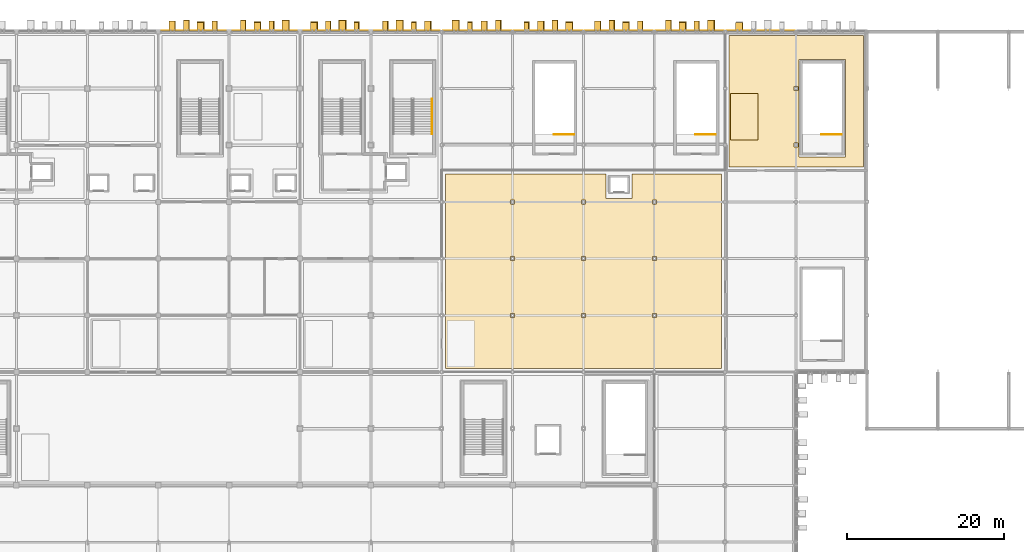
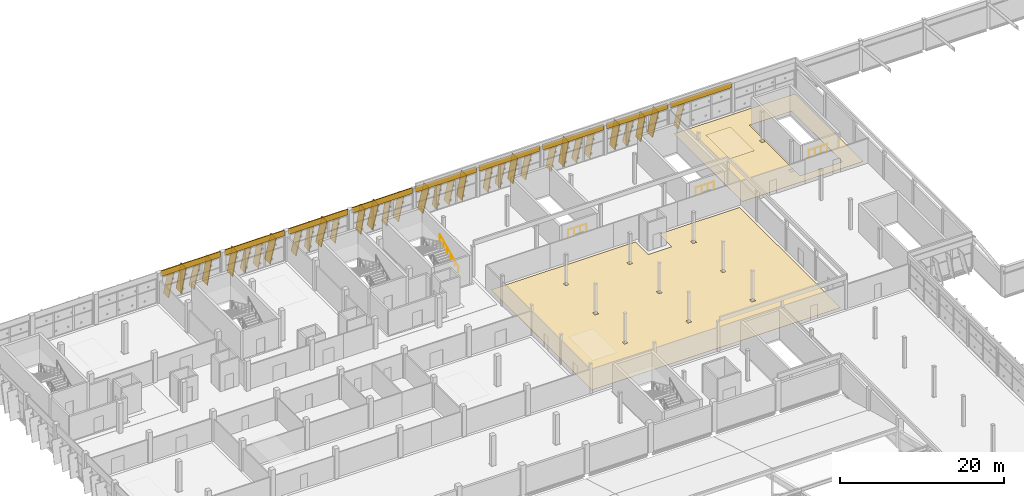
# One storey, part 123 of 124: 45 coverings, 32 shading devices, 4 railings.
"""IFC4 building model written with IfcOpenShell, lengths in metres."""

from ifc_helpers import new_model, si_unit, direction, frame, origin, origin_2d, place, context, subcontext, project, spatial, polyline, rectangle, circle, outline, extrude, material, layer, layer_set, material_profile, profile_set, type_object, element, save


model = new_model("IFC4")

# Units and contexts
model_context = context("Model", 3, precision=1e-05, world=origin(), true_north=direction((0.0, 1.0)))
body_context = subcontext(model_context, "Body", "Model", "MODEL_VIEW")
ifc_project = project(units=[si_unit("LENGTHUNIT", "METRE"), si_unit("AREAUNIT", "SQUARE_METRE"), si_unit("VOLUMEUNIT", "CUBIC_METRE"), si_unit("PLANEANGLEUNIT", "RADIAN"), si_unit("MASSUNIT", "GRAM", prefix="KILO")], contexts=[model_context])

# Site, building, storey
site_placement = place(None, origin())
site = spatial("IfcSite", under=ifc_project, at=site_placement, CompositionType="ELEMENT")
building_placement = place(site_placement, origin())
building = spatial("IfcBuilding", under=site, at=building_placement, Name="Celestram Park Convention Centre", CompositionType="ELEMENT")
storey_placement = place(building_placement, frame((0.0, 0.0, 15.300048828125)))
storey = spatial("IfcBuildingStorey", under=building, at=storey_placement, Name="L03", CompositionType="ELEMENT", Elevation=15.300048828125)

# Coverings
ifc_material_1 = material(Name="Anodised Bronze Aluminium Spandrel Cladding", Category="aluminium")
ifc_layer_1 = layer(ifc_material_1, 0.050048828125)
ifc_layer_set_1 = layer_set([ifc_layer_1], Name="Anodised Bronze Aluminium Spandrel Cladding")
covering_type_1 = type_object("IfcCoveringType", Name="ARC-COV-CLD060", PredefinedType="CLADDING", material=ifc_layer_set_1)
for number, where, z_axis, x_axis, name in (
    (1, (67.5, 165.679931640625, 3.65771484375), (0.0, 0.0, 1.0), (1.0, 0.0, 0.0), "Bronze spandrel cladding CL-L03-206"),
    (2, (76.5, 165.679931640625, 3.65771484375), (0.0, 0.0, 1.0), (1.0, 0.0, 0.0), "Bronze spandrel cladding CL-L03-207"),
    (3, (85.5, 165.679931640625, 3.65771484375), (0.0, 0.0, 1.0), (1.0, 0.0, 0.0), "Bronze spandrel cladding CL-L03-208"),
):
    element("IfcCovering", number, at=place(storey_placement, frame(where, z_axis=z_axis, x_axis=x_axis)), inside=storey, type_object=covering_type_1, Name=name, PredefinedType="CLADDING", context=body_context, shape_type="SweptSolid", body=[
        extrude(rectangle(XDim=8.404052734375, YDim=0.1201171875, at=origin_2d()), origin(), (0.0, 0.0, 1.0), 0.842041015625),
    ])
covering_1_placement = place(storey_placement, frame((94.5, 165.679931640625, 3.65771484375), z_axis=(0.0, 0.0, 1.0), x_axis=(1.0, 0.0, 0.0)))
element("IfcCovering", 4, at=covering_1_placement, inside=storey, type_object=covering_type_1, Name="Bronze spandrel cladding CL-L03-209", PredefinedType="CLADDING", context=body_context, shape_type="SweptSolid", body=[
    extrude(rectangle(XDim=8.529052734375, YDim=0.1201171875, at=origin_2d()), origin(), (0.0, 0.0, 1.0), 0.842041015625),
])
covering_2_placement = place(storey_placement, frame((103.5, 165.679931640625, 3.65771484375), z_axis=(0.0, 0.0, 1.0), x_axis=(1.0, 0.0, 0.0)))
element("IfcCovering", 5, at=covering_2_placement, inside=storey, type_object=covering_type_1, Name="Bronze spandrel cladding CL-L03-210", PredefinedType="CLADDING", context=body_context, shape_type="SweptSolid", body=[
    extrude(rectangle(XDim=8.654052734375, YDim=0.1201171875, at=origin_2d()), origin(), (0.0, 0.0, 1.0), 0.842041015625),
])
for number, where, z_axis, x_axis, name in (
    (6, (112.5, 165.679931640625, 3.66796875), (0.0, 0.0, 1.0), (1.0, 0.0, 0.0), "Bronze spandrel cladding CL-L03-211"),
    (7, (121.5, 165.679931640625, 3.66796875), (0.0, 0.0, 1.0), (1.0, 0.0, 0.0), "Bronze spandrel cladding CL-L03-212"),
    (8, (130.5, 165.679931640625, 3.66796875), (0.0, 0.0, 1.0), (1.0, 0.0, 0.0), "Bronze spandrel cladding CL-L03-213"),
    (9, (139.5, 165.679931640625, 3.66796875), (0.0, 0.0, 1.0), (1.0, 0.0, 0.0), "Bronze spandrel cladding CL-L03-214"),
):
    element("IfcCovering", number, at=place(storey_placement, frame(where, z_axis=z_axis, x_axis=x_axis)), inside=storey, type_object=covering_type_1, Name=name, PredefinedType="CLADDING", context=body_context, shape_type="SweptSolid", body=[
        extrude(rectangle(XDim=8.654052734375, YDim=0.1201171875, at=origin_2d()), origin(), (0.0, 0.0, 1.0), 0.83203125),
    ])
ifc_material_2 = material(Name="Perforated Acoustic Mineral-Fibre Baffle Ceiling", Category="gypsum")
ifc_layer_2 = layer(ifc_material_2, 0.0400390625)
ifc_layer_set_2 = layer_set([ifc_layer_2], Name="Perforated Acoustic Mineral-Fibre Baffle Ceiling")
covering_type_2 = type_object("IfcCoveringType", Name="ARC-COV-CLG040", PredefinedType="CEILING", material=ifc_layer_set_2)
covering_3_placement = place(storey_placement, frame((0.0, 0.0, 4.219970703125)))
element("IfcCovering", 10, at=covering_3_placement, inside=storey, type_object=covering_type_2, Name="East Park Speaker Lounge acoustic baffle ceiling", PredefinedType="CEILING", context=body_context, shape_type="SweptSolid", body=[
    extrude(outline(polyline([(135.64990234375, 151.85009765625), (139.14990234375, 151.85009765625), (139.14990234375, 157.75), (135.64990234375, 157.75), (135.64990234375, 151.85009765625)])), origin(), (0.0, 0.0, 1.0), 0.0400390625),
])
ifc_material_3 = material(Name="Timber-Toned Anodised Aluminium Alloy 6063-T6", Category="wood")
ifc_material_profile_1 = material_profile(ifc_material_3, rectangle(XDim=1.1201171875, YDim=0.090087890625, at=origin_2d()), Name="REED1120X90")
ifc_profile_set_1 = profile_set([ifc_material_profile_1], Name="Timber-Toned Anodised Aluminium Alloy 6063-T6")
covering_type_3 = type_object("IfcCoveringType", Name="ARC-COV-FIN1120", PredefinedType="CLADDING", material=ifc_profile_set_1)
for number, where, z_axis, x_axis, name in (
    (11, (67.9794921875, 166.239990234375, 0.054443359375), (0.23176912566, 0.0, 0.972770822132), (0.0, 1.0, 0.0), "Leaning timber-toned reed fin RFN-L03-0651"),
    (12, (75.1796875, 166.239990234375, 0.054443359375), (0.23176912566, 0.0, 0.972770822132), (0.0, 1.0, 0.0), "Leaning timber-toned reed fin RFN-L03-0654"),
    (13, (82.379638671875, 166.239990234375, 0.054443359375), (0.23176912566, 0.0, 0.972770822132), (0.0, 1.0, 0.0), "Leaning timber-toned reed fin RFN-L03-0657"),
    (14, (87.909912109375, 166.239990234375, 0.0283203125), (0.159890396211, 0.0, 0.987134773574), (0.0, 1.0, 0.0), "Leaning timber-toned reed fin RFN-L03-0660"),
    (15, (95.172607421875, 166.239990234375, 0.0283203125), (0.15982482158, 0.0, 0.98714539274), (0.0, 1.0, 0.0), "Leaning timber-toned reed fin RFN-L03-0663"),
    (16, (102.31005859375, 166.239990234375, 0.0283203125), (0.15982482158, 0.0, 0.98714539274), (0.0, 1.0, 0.0), "Leaning timber-toned reed fin RFN-L03-0666"),
):
    element("IfcCovering", number, at=place(storey_placement, frame(where, z_axis=z_axis, x_axis=x_axis)), inside=storey, type_object=covering_type_3, Name=name, PredefinedType="CLADDING", context=body_context, shape_type="SweptSolid", body=[
        extrude(rectangle(XDim=1.1201171875, YDim=0.090087890625, at=origin_2d()), origin(), (0.0, 0.0, 1.0), 3.6279296875),
    ])
for number, where, z_axis, x_axis, name in (
    (17, (109.50927734375, 166.239990234375, 0.0283203125), (0.159848483968, 0.0, 0.987141561364), (0.0, 1.0, 0.0), "Leaning timber-toned reed fin RFN-L03-0669"),
    (18, (114.778564453125, 166.239990234375, 0.054443359375), (0.231720322485, 0.0, 0.97278244852), (0.0, 1.0, 0.0), "Leaning timber-toned reed fin RFN-L03-0672"),
    (19, (121.978515625, 166.239990234375, 0.054443359375), (0.231720322485, 0.0, 0.97278244852), (0.0, 1.0, 0.0), "Leaning timber-toned reed fin RFN-L03-0675"),
    (20, (129.178466796875, 166.239990234375, 0.054443359375), (0.231720322485, 0.0, 0.97278244852), (0.0, 1.0, 0.0), "Leaning timber-toned reed fin RFN-L03-0678"),
    (21, (136.37841796875, 166.239990234375, 0.054443359375), (0.231720322485, 0.0, 0.97278244852), (0.0, 1.0, 0.0), "Leaning timber-toned reed fin RFN-L03-0681"),
):
    element("IfcCovering", number, at=place(storey_placement, frame(where, z_axis=z_axis, x_axis=x_axis)), inside=storey, type_object=covering_type_3, Name=name, PredefinedType="CLADDING", context=body_context, shape_type="SweptSolid", body=[
        extrude(rectangle(XDim=1.1201171875, YDim=0.090087890625, at=origin_2d()), origin(), (0.0, 0.0, 1.0), 3.63818359375),
    ])
ifc_material_profile_2 = material_profile(ifc_material_3, rectangle(XDim=1.280029296875, YDim=0.090087890625, at=origin_2d()), Name="REED1280X90")
ifc_profile_set_2 = profile_set([ifc_material_profile_2], Name="Timber-Toned Anodised Aluminium Alloy 6063-T6")
covering_type_4 = type_object("IfcCoveringType", Name="ARC-COV-FIN1280", PredefinedType="CLADDING", material=ifc_profile_set_2)
for number, where, z_axis, x_axis, name in (
    (22, (64.419921875, 166.320068359375, 0.045166015625), (0.209556663189, 0.0, 0.977796504858), (0.0, 1.0, 0.0), "Leaning timber-toned reed fin RFN-L03-0649"),
    (23, (69.89111328125, 166.320068359375, 0.031494140625), (0.170256202327, 0.0, 0.985399830307), (0.0, 1.0, 0.0), "Leaning timber-toned reed fin RFN-L03-0652"),
    (24, (77.09130859375, 166.320068359375, 0.031494140625), (0.170190856953, 0.0, 0.985411118371), (0.0, 1.0, 0.0), "Leaning timber-toned reed fin RFN-L03-0655"),
    (25, (84.291259765625, 166.320068359375, 0.031494140625), (0.170190856953, 0.0, 0.985411118371), (0.0, 1.0, 0.0), "Leaning timber-toned reed fin RFN-L03-0658"),
    (26, (91.5537109375, 166.320068359375, 0.031494140625), (0.170256202327, 0.0, 0.985399830307), (0.0, 1.0, 0.0), "Leaning timber-toned reed fin RFN-L03-0661"),
    (27, (96.88232421875, 166.320068359375, 0.045166015625), (0.209556663189, 0.0, 0.977796504858), (0.0, 1.0, 0.0), "Leaning timber-toned reed fin RFN-L03-0664"),
    (28, (104.019775390625, 166.320068359375, 0.045166015625), (0.209621001645, 0.0, 0.977782713935), (0.0, 1.0, 0.0), "Leaning timber-toned reed fin RFN-L03-0667"),
):
    element("IfcCovering", number, at=place(storey_placement, frame(where, z_axis=z_axis, x_axis=x_axis)), inside=storey, type_object=covering_type_4, Name=name, PredefinedType="CLADDING", context=body_context, shape_type="SweptSolid", body=[
        extrude(rectangle(XDim=1.280029296875, YDim=0.090087890625, at=origin_2d()), origin(), (0.0, 0.0, 1.0), 3.6279296875),
    ])
for number, where, z_axis, x_axis, name in (
    (29, (111.21875, 166.320068359375, 0.04541015625), (0.209584085746, 0.0, 0.977790627385), (0.0, 1.0, 0.0), "Leaning timber-toned reed fin RFN-L03-0670"),
    (30, (118.418701171875, 166.320068359375, 0.04541015625), (0.209648246417, 0.0, 0.977776872694), (0.0, 1.0, 0.0), "Leaning timber-toned reed fin RFN-L03-0673"),
    (31, (123.890380859375, 166.320068359375, 0.031494140625), (0.170185570127, 0.0, 0.985412031447), (0.0, 1.0, 0.0), "Leaning timber-toned reed fin RFN-L03-0676"),
):
    element("IfcCovering", number, at=place(storey_placement, frame(where, z_axis=z_axis, x_axis=x_axis)), inside=storey, type_object=covering_type_4, Name=name, PredefinedType="CLADDING", context=body_context, shape_type="SweptSolid", body=[
        extrude(rectangle(XDim=1.280029296875, YDim=0.090087890625, at=origin_2d()), origin(), (0.0, 0.0, 1.0), 3.637939453125),
    ])
covering_4_placement = place(storey_placement, frame((131.09033203125, 166.320068359375, 0.031494140625), z_axis=(0.170250733232, 0.0, 0.985400775235), x_axis=(0.0, 1.0, 0.0)))
element("IfcCovering", 32, at=covering_4_placement, inside=storey, type_object=covering_type_4, Name="Leaning timber-toned reed fin RFN-L03-0679", PredefinedType="CLADDING", context=body_context, shape_type="SweptSolid", body=[
    extrude(rectangle(XDim=1.280029296875, YDim=0.090087890625, at=origin_2d()), origin(), (0.0, 0.0, 1.0), 3.63818359375),
])
ifc_material_profile_3 = material_profile(ifc_material_3, rectangle(XDim=1.419921875, YDim=0.090087890625, at=origin_2d()), Name="REED1420X90")
ifc_profile_set_3 = profile_set([ifc_material_profile_3], Name="Timber-Toned Anodised Aluminium Alloy 6063-T6")
covering_type_5 = type_object("IfcCoveringType", Name="ARC-COV-FIN1420", PredefinedType="CLADDING", material=ifc_profile_set_3)
for number, where, z_axis, x_axis, name in (
    (33, (66.2724609375, 166.389892578125, 0.03466796875), (0.180537273647, 0.0, 0.983568143457), (0.0, 1.0, 0.0), "Leaning timber-toned reed fin RFN-L03-0650"),
    (34, (73.472412109375, 166.389892578125, 0.03466796875), (0.180537273647, 0.0, 0.983568143457), (0.0, 1.0, 0.0), "Leaning timber-toned reed fin RFN-L03-0653"),
):
    element("IfcCovering", number, at=place(storey_placement, frame(where, z_axis=z_axis, x_axis=x_axis)), inside=storey, type_object=covering_type_5, Name=name, PredefinedType="CLADDING", context=body_context, shape_type="SweptSolid", body=[
        extrude(rectangle(XDim=1.419921875, YDim=0.090087890625, at=origin_2d()), origin(), (0.0, 0.0, 1.0), 3.628173828125),
    ])
for number, where, z_axis, x_axis, name in (
    (35, (78.767333984375, 166.389892578125, 0.057373046875), (0.23855925169, 0.0, 0.971127943905), (0.0, 1.0, 0.0), "Leaning timber-toned reed fin RFN-L03-0656"),
    (36, (85.96728515625, 166.389892578125, 0.057373046875), (0.23855925169, 0.0, 0.971127943905), (0.0, 1.0, 0.0), "Leaning timber-toned reed fin RFN-L03-0659"),
    (37, (93.229736328125, 166.389892578125, 0.057373046875), (0.23855925169, 0.0, 0.971127943905), (0.0, 1.0, 0.0), "Leaning timber-toned reed fin RFN-L03-0662"),
    (38, (100.3671875, 166.389892578125, 0.057373046875), (0.23855925169, 0.0, 0.971127943905), (0.0, 1.0, 0.0), "Leaning timber-toned reed fin RFN-L03-0665"),
):
    element("IfcCovering", number, at=place(storey_placement, frame(where, z_axis=z_axis, x_axis=x_axis)), inside=storey, type_object=covering_type_5, Name=name, PredefinedType="CLADDING", context=body_context, shape_type="SweptSolid", body=[
        extrude(rectangle(XDim=1.419921875, YDim=0.090087890625, at=origin_2d()), origin(), (0.0, 0.0, 1.0), 3.6279296875),
    ])
covering_5_placement = place(storey_placement, frame((105.87255859375, 166.389892578125, 0.03466796875), z_axis=(0.180537273647, 0.0, 0.983568143457), x_axis=(0.0, 1.0, 0.0)))
element("IfcCovering", 39, at=covering_5_placement, inside=storey, type_object=covering_type_5, Name="Leaning timber-toned reed fin RFN-L03-0668", PredefinedType="CLADDING", context=body_context, shape_type="SweptSolid", body=[
    extrude(rectangle(XDim=1.419921875, YDim=0.090087890625, at=origin_2d()), origin(), (0.0, 0.0, 1.0), 3.628173828125),
])
for number, where, z_axis, x_axis, name in (
    (40, (113.071533203125, 166.389892578125, 0.034912109375), (0.180591900077, 0.0, 0.983558115023), (0.0, 1.0, 0.0), "Leaning timber-toned reed fin RFN-L03-0671"),
    (41, (120.271484375, 166.389892578125, 0.034912109375), (0.180591900077, 0.0, 0.983558115023), (0.0, 1.0, 0.0), "Leaning timber-toned reed fin RFN-L03-0674"),
    (42, (127.4716796875, 166.389892578125, 0.034912109375), (0.180526977983, 0.0, 0.983570033206), (0.0, 1.0, 0.0), "Leaning timber-toned reed fin RFN-L03-0677"),
    (43, (132.76611328125, 166.389892578125, 0.057373046875), (0.23850696927, 0.0, 0.971140785679), (0.0, 1.0, 0.0), "Leaning timber-toned reed fin RFN-L03-0680"),
):
    element("IfcCovering", number, at=place(storey_placement, frame(where, z_axis=z_axis, x_axis=x_axis)), inside=storey, type_object=covering_type_5, Name=name, PredefinedType="CLADDING", context=body_context, shape_type="SweptSolid", body=[
        extrude(rectangle(XDim=1.419921875, YDim=0.090087890625, at=origin_2d()), origin(), (0.0, 0.0, 1.0), 3.637939453125),
    ])
ifc_material_4 = material(Name="Polished Lakefront Aggregate Terrazzo Flooring", Category="concrete")
ifc_layer_3 = layer(ifc_material_4, 0.02001953125)
ifc_layer_set_3 = layer_set([ifc_layer_3], Name="Polished Lakefront Aggregate Terrazzo Flooring")
covering_type_6 = type_object("IfcCoveringType", Name="ARC-COV-FLR020", PredefinedType="FLOORING", material=ifc_layer_set_3)
covering_6_placement = place(storey_placement, origin())
element("IfcCovering", 44, at=covering_6_placement, inside=storey, type_object=covering_type_6, Name="Park Terrace Dining Salon terrazzo flooring", PredefinedType="FLOORING", context=body_context, shape_type="SweptSolid", body=[
    extrude(outline(polyline([(119.85009765625, 147.550048828125), (119.85009765625, 144.449951171875), (123.14990234375, 144.449951171875), (123.14990234375, 147.550048828125), (134.550048828125, 147.550048828125), (134.550048828125, 122.85009765625), (99.449951171875, 122.85009765625), (99.449951171875, 147.550048828125), (119.85009765625, 147.550048828125)]), holes=[polyline([(107.7470703125, 129.85302734375), (107.7470703125, 129.346923828125), (108.2529296875, 129.346923828125), (108.2529296875, 129.85302734375), (107.7470703125, 129.85302734375)]), polyline([(125.7470703125, 129.85302734375), (125.7470703125, 129.346923828125), (126.2529296875, 129.346923828125), (126.2529296875, 129.85302734375), (125.7470703125, 129.85302734375)]), polyline([(116.7470703125, 129.85302734375), (116.7470703125, 129.346923828125), (117.2529296875, 129.346923828125), (117.2529296875, 129.85302734375), (116.7470703125, 129.85302734375)]), polyline([(108.2529296875, 137.052978515625), (107.7470703125, 137.052978515625), (107.7470703125, 136.547119140625), (108.2529296875, 136.547119140625), (108.2529296875, 137.052978515625)]), polyline([(125.7470703125, 137.052978515625), (125.7470703125, 136.547119140625), (126.2529296875, 136.547119140625), (126.2529296875, 137.052978515625), (125.7470703125, 137.052978515625)]), polyline([(116.7470703125, 137.052978515625), (116.7470703125, 136.547119140625), (117.2529296875, 136.547119140625), (117.2529296875, 137.052978515625), (116.7470703125, 137.052978515625)]), polyline([(125.7470703125, 144.2529296875), (125.7470703125, 143.7470703125), (126.2529296875, 143.7470703125), (126.2529296875, 144.2529296875), (125.7470703125, 144.2529296875)]), polyline([(117.2529296875, 144.2529296875), (116.7470703125, 144.2529296875), (116.7470703125, 143.7470703125), (117.2529296875, 143.7470703125), (117.2529296875, 144.2529296875)]), polyline([(108.2529296875, 144.2529296875), (107.7470703125, 144.2529296875), (107.7470703125, 143.7470703125), (108.2529296875, 143.7470703125), (108.2529296875, 144.2529296875)])]), origin(), (0.0, 0.0, 1.0), 0.02001953125),
])
covering_7_placement = place(storey_placement, origin())
element("IfcCovering", 45, at=covering_7_placement, inside=storey, type_object=covering_type_6, Name="East Park Speaker Lounge terrazzo flooring", PredefinedType="FLOORING", context=body_context, shape_type="SweptSolid", body=[
    extrude(outline(polyline([(152.550048828125, 165.14990234375), (152.550048828125, 148.449951171875), (135.449951171875, 148.449951171875), (135.449951171875, 165.14990234375), (152.550048828125, 165.14990234375)]), holes=[polyline([(150.300048828125, 162.10009765625), (144.340087890625, 162.10009765625), (144.340087890625, 149.699951171875), (150.300048828125, 149.699951171875), (150.300048828125, 162.10009765625)]), polyline([(143.7470703125, 151.452880859375), (143.7470703125, 150.947021484375), (144.2529296875, 150.947021484375), (144.2529296875, 151.452880859375), (143.7470703125, 151.452880859375)]), polyline([(144.2529296875, 158.653076171875), (143.7470703125, 158.653076171875), (143.7470703125, 158.14697265625), (144.2529296875, 158.14697265625), (144.2529296875, 158.653076171875)])]), origin(), (0.0, 0.0, 1.0), 0.02001953125),
])

# Shading devices
ifc_material_5 = material(Name="Anodised Bronze Aluminium Alloy 6063-T6", Category="aluminium")
ifc_material_profile_4 = material_profile(ifc_material_5, rectangle(XDim=1.280029296875, YDim=0.080078125, at=origin_2d()), Name="FIN1280X80")
ifc_profile_set_4 = profile_set([ifc_material_profile_4], Name="Anodised Bronze Aluminium Alloy 6063-T6")
shading_device_type = type_object("IfcShadingDeviceType", Name="ARC-FIN-BZ1280", PredefinedType="USERDEFINED", material=ifc_profile_set_4)
shading_device_1_placement = place(storey_placement, frame((64.419921875, 166.320068359375, 0.045166015625), z_axis=(0.209556663189, 0.0, 0.977796504858), x_axis=(0.0, 1.0, 0.0)))
element("IfcShadingDevice", 46, at=shading_device_1_placement, inside=storey, type_object=shading_device_type, Name="Expressive solar fin FN-L03-0649", ObjectType="SOLAR_FIN", PredefinedType="USERDEFINED", context=body_context, shape_type="SweptSolid", body=[
    extrude(rectangle(XDim=1.280029296875, YDim=0.080078125, at=origin_2d()), origin(), (0.0, 0.0, 1.0), 3.6279296875),
])
shading_device_2_placement = place(storey_placement, frame((66.2724609375, 166.389892578125, 0.03466796875), z_axis=(0.180537273647, 0.0, 0.983568143457), x_axis=(0.0, 1.0, 0.0)))
element("IfcShadingDevice", 47, at=shading_device_2_placement, inside=storey, type_object=shading_device_type, Name="Expressive solar fin FN-L03-0650", ObjectType="SOLAR_FIN", PredefinedType="USERDEFINED", context=body_context, shape_type="SweptSolid", body=[
    extrude(rectangle(XDim=1.280029296875, YDim=0.080078125, at=origin_2d()), origin(), (0.0, 0.0, 1.0), 3.628173828125),
])
for number, where, z_axis, x_axis, name in (
    (48, (67.9794921875, 166.239990234375, 0.054443359375), (0.23176912566, 0.0, 0.972770822132), (0.0, 1.0, 0.0), "Expressive solar fin FN-L03-0651"),
    (49, (69.89111328125, 166.320068359375, 0.031494140625), (0.170256202327, 0.0, 0.985399830307), (0.0, 1.0, 0.0), "Expressive solar fin FN-L03-0652"),
):
    element("IfcShadingDevice", number, at=place(storey_placement, frame(where, z_axis=z_axis, x_axis=x_axis)), inside=storey, type_object=shading_device_type, Name=name, ObjectType="SOLAR_FIN", PredefinedType="USERDEFINED", context=body_context, shape_type="SweptSolid", body=[
        extrude(rectangle(XDim=1.280029296875, YDim=0.080078125, at=origin_2d()), origin(), (0.0, 0.0, 1.0), 3.6279296875),
    ])
shading_device_3_placement = place(storey_placement, frame((73.472412109375, 166.389892578125, 0.03466796875), z_axis=(0.180537273647, 0.0, 0.983568143457), x_axis=(0.0, 1.0, 0.0)))
element("IfcShadingDevice", 50, at=shading_device_3_placement, inside=storey, type_object=shading_device_type, Name="Expressive solar fin FN-L03-0653", ObjectType="SOLAR_FIN", PredefinedType="USERDEFINED", context=body_context, shape_type="SweptSolid", body=[
    extrude(rectangle(XDim=1.280029296875, YDim=0.080078125, at=origin_2d()), origin(), (0.0, 0.0, 1.0), 3.628173828125),
])
for number, where, z_axis, x_axis, name in (
    (51, (75.1796875, 166.239990234375, 0.054443359375), (0.23176912566, 0.0, 0.972770822132), (0.0, 1.0, 0.0), "Expressive solar fin FN-L03-0654"),
    (52, (77.09130859375, 166.320068359375, 0.031494140625), (0.170190856953, 0.0, 0.985411118371), (0.0, 1.0, 0.0), "Expressive solar fin FN-L03-0655"),
    (53, (78.767333984375, 166.389892578125, 0.057373046875), (0.23855925169, 0.0, 0.971127943905), (0.0, 1.0, 0.0), "Expressive solar fin FN-L03-0656"),
    (54, (82.379638671875, 166.239990234375, 0.054443359375), (0.23176912566, 0.0, 0.972770822132), (0.0, 1.0, 0.0), "Expressive solar fin FN-L03-0657"),
    (55, (84.291259765625, 166.320068359375, 0.031494140625), (0.170190856953, 0.0, 0.985411118371), (0.0, 1.0, 0.0), "Expressive solar fin FN-L03-0658"),
    (56, (85.96728515625, 166.389892578125, 0.057373046875), (0.23855925169, 0.0, 0.971127943905), (0.0, 1.0, 0.0), "Expressive solar fin FN-L03-0659"),
    (57, (87.909912109375, 166.239990234375, 0.0283203125), (0.159890396211, 0.0, 0.987134773574), (0.0, 1.0, 0.0), "Expressive solar fin FN-L03-0660"),
    (58, (91.5537109375, 166.320068359375, 0.031494140625), (0.170256202327, 0.0, 0.985399830307), (0.0, 1.0, 0.0), "Expressive solar fin FN-L03-0661"),
    (59, (93.229736328125, 166.389892578125, 0.057373046875), (0.23855925169, 0.0, 0.971127943905), (0.0, 1.0, 0.0), "Expressive solar fin FN-L03-0662"),
    (60, (95.172607421875, 166.239990234375, 0.0283203125), (0.15982482158, 0.0, 0.98714539274), (0.0, 1.0, 0.0), "Expressive solar fin FN-L03-0663"),
    (61, (96.88232421875, 166.320068359375, 0.045166015625), (0.209556663189, 0.0, 0.977796504858), (0.0, 1.0, 0.0), "Expressive solar fin FN-L03-0664"),
    (62, (100.3671875, 166.389892578125, 0.057373046875), (0.23855925169, 0.0, 0.971127943905), (0.0, 1.0, 0.0), "Expressive solar fin FN-L03-0665"),
    (63, (102.31005859375, 166.239990234375, 0.0283203125), (0.15982482158, 0.0, 0.98714539274), (0.0, 1.0, 0.0), "Expressive solar fin FN-L03-0666"),
    (64, (104.019775390625, 166.320068359375, 0.045166015625), (0.209621001645, 0.0, 0.977782713935), (0.0, 1.0, 0.0), "Expressive solar fin FN-L03-0667"),
):
    element("IfcShadingDevice", number, at=place(storey_placement, frame(where, z_axis=z_axis, x_axis=x_axis)), inside=storey, type_object=shading_device_type, Name=name, ObjectType="SOLAR_FIN", PredefinedType="USERDEFINED", context=body_context, shape_type="SweptSolid", body=[
        extrude(rectangle(XDim=1.280029296875, YDim=0.080078125, at=origin_2d()), origin(), (0.0, 0.0, 1.0), 3.6279296875),
    ])
shading_device_4_placement = place(storey_placement, frame((105.87255859375, 166.389892578125, 0.03466796875), z_axis=(0.180537273647, 0.0, 0.983568143457), x_axis=(0.0, 1.0, 0.0)))
element("IfcShadingDevice", 65, at=shading_device_4_placement, inside=storey, type_object=shading_device_type, Name="Expressive solar fin FN-L03-0668", ObjectType="SOLAR_FIN", PredefinedType="USERDEFINED", context=body_context, shape_type="SweptSolid", body=[
    extrude(rectangle(XDim=1.280029296875, YDim=0.080078125, at=origin_2d()), origin(), (0.0, 0.0, 1.0), 3.628173828125),
])
shading_device_5_placement = place(storey_placement, frame((109.50927734375, 166.239990234375, 0.0283203125), z_axis=(0.159848483968, 0.0, 0.987141561364), x_axis=(0.0, 1.0, 0.0)))
element("IfcShadingDevice", 66, at=shading_device_5_placement, inside=storey, type_object=shading_device_type, Name="Expressive solar fin FN-L03-0669", ObjectType="SOLAR_FIN", PredefinedType="USERDEFINED", context=body_context, shape_type="SweptSolid", body=[
    extrude(rectangle(XDim=1.280029296875, YDim=0.080078125, at=origin_2d()), origin(), (0.0, 0.0, 1.0), 3.63818359375),
])
for number, where, z_axis, x_axis, name in (
    (67, (111.21875, 166.320068359375, 0.04541015625), (0.209584085746, 0.0, 0.977790627385), (0.0, 1.0, 0.0), "Expressive solar fin FN-L03-0670"),
    (68, (113.071533203125, 166.389892578125, 0.034912109375), (0.180591900077, 0.0, 0.983558115023), (0.0, 1.0, 0.0), "Expressive solar fin FN-L03-0671"),
):
    element("IfcShadingDevice", number, at=place(storey_placement, frame(where, z_axis=z_axis, x_axis=x_axis)), inside=storey, type_object=shading_device_type, Name=name, ObjectType="SOLAR_FIN", PredefinedType="USERDEFINED", context=body_context, shape_type="SweptSolid", body=[
        extrude(rectangle(XDim=1.280029296875, YDim=0.080078125, at=origin_2d()), origin(), (0.0, 0.0, 1.0), 3.637939453125),
    ])
shading_device_6_placement = place(storey_placement, frame((114.778564453125, 166.239990234375, 0.054443359375), z_axis=(0.231720322485, 0.0, 0.97278244852), x_axis=(0.0, 1.0, 0.0)))
element("IfcShadingDevice", 69, at=shading_device_6_placement, inside=storey, type_object=shading_device_type, Name="Expressive solar fin FN-L03-0672", ObjectType="SOLAR_FIN", PredefinedType="USERDEFINED", context=body_context, shape_type="SweptSolid", body=[
    extrude(rectangle(XDim=1.280029296875, YDim=0.080078125, at=origin_2d()), origin(), (0.0, 0.0, 1.0), 3.63818359375),
])
for number, where, z_axis, x_axis, name in (
    (70, (118.418701171875, 166.320068359375, 0.04541015625), (0.209648246417, 0.0, 0.977776872694), (0.0, 1.0, 0.0), "Expressive solar fin FN-L03-0673"),
    (71, (120.271484375, 166.389892578125, 0.034912109375), (0.180591900077, 0.0, 0.983558115023), (0.0, 1.0, 0.0), "Expressive solar fin FN-L03-0674"),
):
    element("IfcShadingDevice", number, at=place(storey_placement, frame(where, z_axis=z_axis, x_axis=x_axis)), inside=storey, type_object=shading_device_type, Name=name, ObjectType="SOLAR_FIN", PredefinedType="USERDEFINED", context=body_context, shape_type="SweptSolid", body=[
        extrude(rectangle(XDim=1.280029296875, YDim=0.080078125, at=origin_2d()), origin(), (0.0, 0.0, 1.0), 3.637939453125),
    ])
shading_device_7_placement = place(storey_placement, frame((121.978515625, 166.239990234375, 0.054443359375), z_axis=(0.231720322485, 0.0, 0.97278244852), x_axis=(0.0, 1.0, 0.0)))
element("IfcShadingDevice", 72, at=shading_device_7_placement, inside=storey, type_object=shading_device_type, Name="Expressive solar fin FN-L03-0675", ObjectType="SOLAR_FIN", PredefinedType="USERDEFINED", context=body_context, shape_type="SweptSolid", body=[
    extrude(rectangle(XDim=1.280029296875, YDim=0.080078125, at=origin_2d()), origin(), (0.0, 0.0, 1.0), 3.63818359375),
])
for number, where, z_axis, x_axis, name in (
    (73, (123.890380859375, 166.320068359375, 0.031494140625), (0.170185570127, 0.0, 0.985412031447), (0.0, 1.0, 0.0), "Expressive solar fin FN-L03-0676"),
    (74, (127.4716796875, 166.389892578125, 0.034912109375), (0.180526977983, 0.0, 0.983570033206), (0.0, 1.0, 0.0), "Expressive solar fin FN-L03-0677"),
):
    element("IfcShadingDevice", number, at=place(storey_placement, frame(where, z_axis=z_axis, x_axis=x_axis)), inside=storey, type_object=shading_device_type, Name=name, ObjectType="SOLAR_FIN", PredefinedType="USERDEFINED", context=body_context, shape_type="SweptSolid", body=[
        extrude(rectangle(XDim=1.280029296875, YDim=0.080078125, at=origin_2d()), origin(), (0.0, 0.0, 1.0), 3.637939453125),
    ])
for number, where, z_axis, x_axis, name in (
    (75, (129.178466796875, 166.239990234375, 0.054443359375), (0.231720322485, 0.0, 0.97278244852), (0.0, 1.0, 0.0), "Expressive solar fin FN-L03-0678"),
    (76, (131.09033203125, 166.320068359375, 0.031494140625), (0.170250733232, 0.0, 0.985400775235), (0.0, 1.0, 0.0), "Expressive solar fin FN-L03-0679"),
):
    element("IfcShadingDevice", number, at=place(storey_placement, frame(where, z_axis=z_axis, x_axis=x_axis)), inside=storey, type_object=shading_device_type, Name=name, ObjectType="SOLAR_FIN", PredefinedType="USERDEFINED", context=body_context, shape_type="SweptSolid", body=[
        extrude(rectangle(XDim=1.280029296875, YDim=0.080078125, at=origin_2d()), origin(), (0.0, 0.0, 1.0), 3.63818359375),
    ])
shading_device_8_placement = place(storey_placement, frame((132.76611328125, 166.389892578125, 0.057373046875), z_axis=(0.23850696927, 0.0, 0.971140785679), x_axis=(0.0, 1.0, 0.0)))
element("IfcShadingDevice", 77, at=shading_device_8_placement, inside=storey, type_object=shading_device_type, Name="Expressive solar fin FN-L03-0680", ObjectType="SOLAR_FIN", PredefinedType="USERDEFINED", context=body_context, shape_type="SweptSolid", body=[
    extrude(rectangle(XDim=1.280029296875, YDim=0.080078125, at=origin_2d()), origin(), (0.0, 0.0, 1.0), 3.637939453125),
])

# Railings
ifc_material_6 = material(Name="Stainless Steel AISI 316L & Laminated Glass", Category="steel")
ifc_layer_4 = layer(ifc_material_6, 0.06005859375)
ifc_layer_set_4 = layer_set([ifc_layer_4], Name="Stainless Steel AISI 316L & Laminated Glass")
railing_type_1 = type_object("IfcRailingType", Name="ARC-RL-GRD1120", PredefinedType="GUARDRAIL", material=ifc_layer_set_4)
for number, where, name in (
    (78, (133.800048828125, 152.550048828125, 0.0), "L03 ST-05 top well guard 1"),
    (79, (149.800048828125, 152.550048828125, 0.0), "L03 ST-09 top well guard 1"),
    (80, (115.800048828125, 152.550048828125, 0.0), "L03 ST-16 top well guard 1"),
):
    element("IfcRailing", number, at=place(storey_placement, frame(where)), inside=storey, type_object=railing_type_1, Name=name, PredefinedType="GUARDRAIL", context=body_context, shape_type="SweptSolid", body=[
        extrude(circle(Radius=0.02392578125, at=origin_2d()), frame((0.0, 0.0, 1.09619140625), z_axis=(-1.0, 0.0, 0.0), x_axis=(0.0, -1.0, 0.0)), (0.0, 0.0, 1.0), 2.56005859375),
        extrude(circle(Radius=0.02099609375, at=origin_2d()), origin(), (0.0, 0.0, 1.0), 1.072021484375),
        extrude(circle(Radius=0.02099609375, at=origin_2d()), frame((-0.853271484375, 0.0, 0.0)), (0.0, 0.0, 1.0), 1.072021484375),
        extrude(circle(Radius=0.02099609375, at=origin_2d()), frame((-1.706787109375, 0.0, 0.0)), (0.0, 0.0, 1.0), 1.072021484375),
        extrude(circle(Radius=0.02099609375, at=origin_2d()), frame((-2.56005859375, 0.0, 0.0)), (0.0, 0.0, 1.0), 1.072021484375),
    ])
ifc_material_7 = material(Name="Brushed Stainless Steel AISI 304", Category="steel")
ifc_layer_5 = layer(ifc_material_7, 0.048095703125)
ifc_layer_set_5 = layer_set([ifc_layer_5], Name="Brushed Stainless Steel AISI 304")
railing_type_2 = type_object("IfcRailingType", Name="ARC-RL-HND915", PredefinedType="HANDRAIL", material=ifc_layer_set_5)
railing_placement = place(storey_placement, frame((97.763916015625, 152.60009765625, 0.14990234375)))
element("IfcRailing", 81, at=railing_placement, inside=storey, type_object=railing_type_2, Name="L03 ST-19 stair handrail 1", PredefinedType="HANDRAIL", context=body_context, shape_type="SweptSolid", body=[
    extrude(circle(Radius=0.02392578125, at=origin_2d()), frame((0.0, 0.0, 0.8759765625), z_axis=(0.0, 0.905450639465, 0.424451574969), x_axis=(-1.0, 0.0, 0.0)), (0.0, 0.0, 1.0), 4.94775390625),
    extrude(circle(Radius=0.02099609375, at=origin_2d()), origin(), (0.0, 0.0, 1.0), 0.851806640625),
    extrude(circle(Radius=0.02099609375, at=origin_2d()), frame((0.0, 0.89599609375, 0.419921875)), (0.0, 0.0, 1.0), 0.851806640625),
    extrude(circle(Radius=0.02099609375, at=origin_2d()), frame((0.0, 1.7919921875, 0.840087890625)), (0.0, 0.0, 1.0), 0.851806640625),
    extrude(circle(Radius=0.02099609375, at=origin_2d()), frame((0.0, 2.68798828125, 1.260009765625)), (0.0, 0.0, 1.0), 0.851806640625),
    extrude(circle(Radius=0.02099609375, at=origin_2d()), frame((0.0, 3.583984375, 1.68017578125)), (0.0, 0.0, 1.0), 0.851806640625),
    extrude(circle(Radius=0.02099609375, at=origin_2d()), frame((0.0, 4.47998046875, 2.10009765625)), (0.0, 0.0, 1.0), 0.851806640625),
])

save(model, "model.ifc")
